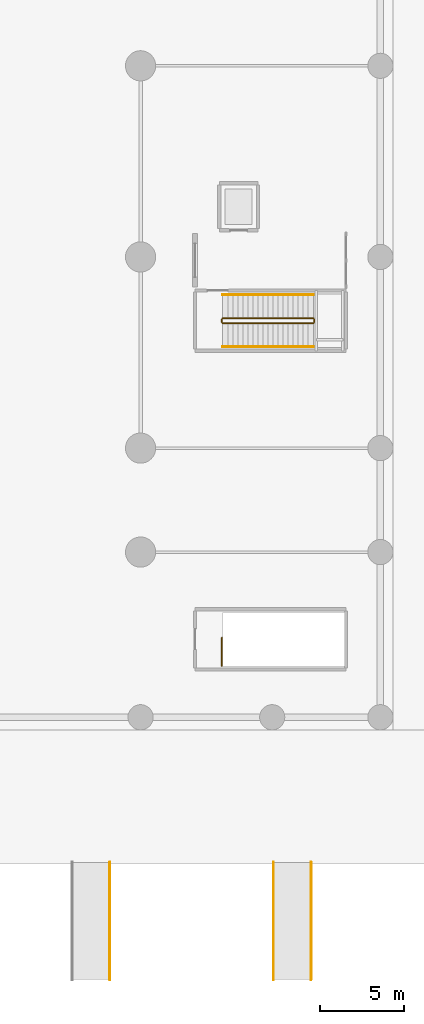
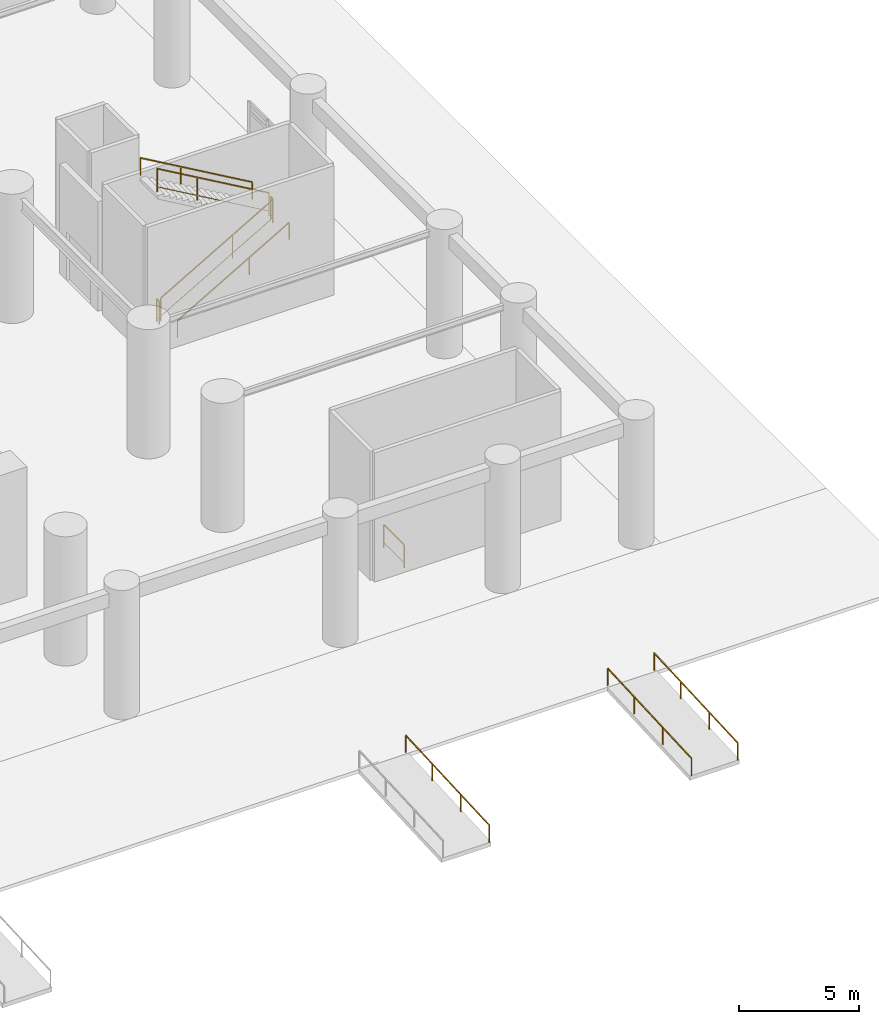
# One storey, part 15 of 16: 10 railings.
"""IFC4 building model written with IfcOpenShell, lengths in metres."""

from ifc_helpers import new_model, si_unit, direction, frame, origin, origin_2d, place, context, subcontext, project, spatial, rectangle, extrude, material, type_object, element, save


model = new_model("IFC4")

# Units and contexts
model_context = context("Model", 3, precision=1e-05, world=origin(), true_north=direction((0.0, 1.0)))
body_context = subcontext(model_context, "Body", "Model", "MODEL_VIEW")
ifc_project = project(units=[si_unit("LENGTHUNIT", "METRE"), si_unit("AREAUNIT", "SQUARE_METRE"), si_unit("VOLUMEUNIT", "CUBIC_METRE"), si_unit("PLANEANGLEUNIT", "RADIAN"), si_unit("MASSUNIT", "GRAM", prefix="KILO")], contexts=[model_context])

# Site, building, storey
site_placement = place(None, origin())
site = spatial("IfcSite", under=ifc_project, at=site_placement, CompositionType="ELEMENT")
building_placement = place(site_placement, origin())
building = spatial("IfcBuilding", under=site, at=building_placement, Name="Svetorya Sky Lyceum", CompositionType="ELEMENT")
storey_placement = place(building_placement, origin())
storey = spatial("IfcBuildingStorey", under=building, at=storey_placement, Name="L00", CompositionType="ELEMENT", Elevation=0.0)

# Railings
ifc_material_1 = material(Name="Brushed stainless AISI 304")
railing_type_1 = type_object("IfcRailingType", Name="RL-PED-900", PredefinedType="HANDRAIL", material=ifc_material_1)
for number, where, name in (
    (1, (61.52001953125, -14.89990234375, -0.35009765625), "Approach Ramp PR-4 Handrail E"),
    (2, (71.280029296875, -14.89990234375, -0.35009765625), "Approach Ramp PR-5 Handrail W"),
    (3, (73.52001953125, -14.89990234375, -0.35009765625), "Approach Ramp PR-5 Handrail E"),
):
    element("IfcRailing", number, at=place(storey_placement, frame(where)), inside=storey, type_object=railing_type_1, Name=name, PredefinedType="HANDRAIL", context=body_context, shape_type="SweptSolid", body=[
        extrude(rectangle(XDim=0.048095703125, YDim=0.048095703125, at=origin_2d()), frame((0.0, 0.0, 0.8759765625), z_axis=(0.0, 0.998751643845, 0.049951515669), x_axis=(-1.0, 0.0, 0.0)), (0.0, 0.0, 1.0), 7.0087890625),
        extrude(rectangle(XDim=0.0419921875, YDim=0.0419921875, at=origin_2d()), origin(), (0.0, 0.0, 1.0), 0.851806640625),
        extrude(rectangle(XDim=0.0419921875, YDim=0.0419921875, at=origin_2d()), frame((0.0, 2.39697265625, 0.119873046875)), (0.0, 0.0, 1.0), 0.851806640625),
        extrude(rectangle(XDim=0.0419921875, YDim=0.0419921875, at=origin_2d()), frame((0.0, 4.7939453125, 0.23974609375)), (0.0, 0.0, 1.0), 0.851806640625),
        extrude(rectangle(XDim=0.0419921875, YDim=0.0419921875, at=origin_2d()), frame((0.0, 7.0, 0.35009765625)), (0.0, 0.0, 1.0), 0.851806640625),
    ])
ifc_material_2 = material(Name="Painted galvanized stair well guard")
railing_type_2 = type_object("IfcRailingType", Name="RL-STR-GUARD-1200", PredefinedType="GUARDRAIL", material=ifc_material_2)
railing_1_placement = place(storey_placement, frame((68.25, 24.25, 0.173583984375)))
element("IfcRailing", 4, at=railing_1_placement, inside=storey, type_object=railing_type_2, Name="L00 ST-SCH-E stair guard 1", PredefinedType="GUARDRAIL", context=body_context, shape_type="SweptSolid", body=[
    extrude(rectangle(XDim=0.048095703125, YDim=0.048095703125, at=origin_2d()), frame((0.0, 0.0, 1.17578125), z_axis=(0.865411998075, 0.0, 0.501060947977), x_axis=(0.0, 1.0, 0.0)), (0.0, 0.0, 1.0), 6.23974609375),
    extrude(rectangle(XDim=0.02392578125, YDim=0.02392578125, at=origin_2d()), frame((0.0, 0.0, 0.25), z_axis=(0.865411998075, 0.0, 0.501060947977), x_axis=(0.0, 1.0, 0.0)), (0.0, 0.0, 1.0), 6.23974609375),
    extrude(rectangle(XDim=0.0419921875, YDim=0.0419921875, at=origin_2d()), origin(), (0.0, 0.0, 1.0), 1.15185546875),
    extrude(rectangle(XDim=0.0419921875, YDim=0.0419921875, at=origin_2d()), frame((3.461669921875, 0.0, 2.004150390625)), (0.0, 0.0, 1.0), 1.15185546875),
    extrude(rectangle(XDim=0.0419921875, YDim=0.0419921875, at=origin_2d()), frame((5.39990234375, 0.0, 3.12646484375)), (0.0, 0.0, 1.0), 1.15185546875),
])
railing_2_placement = place(storey_placement, frame((73.699951171875, 24.300048828125, 3.300048828125)))
element("IfcRailing", 5, at=railing_2_placement, inside=storey, type_object=railing_type_2, Name="L00 ST-SCH-E stair guard 2", PredefinedType="GUARDRAIL", context=body_context, shape_type="SweptSolid", body=[
    extrude(rectangle(XDim=0.048095703125, YDim=0.048095703125, at=origin_2d()), frame((0.0, 0.0, 1.17578125), z_axis=(0.0, 1.0, 0.0), x_axis=(-1.0, 0.0, 0.0)), (0.0, 0.0, 1.0), 0.199951171875),
    extrude(rectangle(XDim=0.02392578125, YDim=0.02392578125, at=origin_2d()), frame((0.0, 0.0, 0.25), z_axis=(0.0, 1.0, 0.0), x_axis=(-1.0, 0.0, 0.0)), (0.0, 0.0, 1.0), 0.199951171875),
    extrude(rectangle(XDim=0.0419921875, YDim=0.0419921875, at=origin_2d()), origin(), (0.0, 0.0, 1.0), 1.15185546875),
    extrude(rectangle(XDim=0.0419921875, YDim=0.0419921875, at=origin_2d()), frame((0.0, 0.199951171875, 0.0)), (0.0, 0.0, 1.0), 1.15185546875),
])
railing_3_placement = place(storey_placement, frame((73.64990234375, 24.550048828125, 3.4736328125)))
element("IfcRailing", 6, at=railing_3_placement, inside=storey, type_object=railing_type_2, Name="L00 ST-SCH-E stair guard 3", PredefinedType="GUARDRAIL", context=body_context, shape_type="SweptSolid", body=[
    extrude(rectangle(XDim=0.048095703125, YDim=0.048095703125, at=origin_2d()), frame((0.0, 0.0, 1.17578125), z_axis=(-0.865411998075, 0.0, 0.501060947977), x_axis=(0.0, -1.0, 0.0)), (0.0, 0.0, 1.0), 6.23974609375),
    extrude(rectangle(XDim=0.02392578125, YDim=0.02392578125, at=origin_2d()), frame((0.0, 0.0, 0.25), z_axis=(-0.865411998075, 0.0, 0.501060947977), x_axis=(0.0, -1.0, 0.0)), (0.0, 0.0, 1.0), 6.23974609375),
    extrude(rectangle(XDim=0.0419921875, YDim=0.0419921875, at=origin_2d()), origin(), (0.0, 0.0, 1.0), 1.15185546875),
    extrude(rectangle(XDim=0.0419921875, YDim=0.0419921875, at=origin_2d()), frame((-3.461669921875, 0.0, 2.004150390625)), (0.0, 0.0, 1.0), 1.15185546875),
    extrude(rectangle(XDim=0.0419921875, YDim=0.0419921875, at=origin_2d()), frame((-5.39990234375, 0.0, 3.12646484375)), (0.0, 0.0, 1.0), 1.15185546875),
])
railing_4_placement = place(storey_placement, frame((68.199951171875, 24.300048828125, 0.0)))
element("IfcRailing", 7, at=railing_4_placement, inside=storey, type_object=railing_type_2, Name="L00 ST-SCH-E stair guard 4", PredefinedType="GUARDRAIL", context=body_context, shape_type="SweptSolid", body=[
    extrude(rectangle(XDim=0.048095703125, YDim=0.048095703125, at=origin_2d()), frame((0.0, 0.0, 1.17578125), z_axis=(0.0, 1.0, 0.0), x_axis=(-1.0, 0.0, 0.0)), (0.0, 0.0, 1.0), 0.199951171875),
    extrude(rectangle(XDim=0.02392578125, YDim=0.02392578125, at=origin_2d()), frame((0.0, 0.0, 0.25), z_axis=(0.0, 1.0, 0.0), x_axis=(-1.0, 0.0, 0.0)), (0.0, 0.0, 1.0), 0.199951171875),
    extrude(rectangle(XDim=0.0419921875, YDim=0.0419921875, at=origin_2d()), origin(), (0.0, 0.0, 1.0), 1.15185546875),
    extrude(rectangle(XDim=0.0419921875, YDim=0.0419921875, at=origin_2d()), frame((0.0, 0.199951171875, 0.0)), (0.0, 0.0, 1.0), 1.15185546875),
])
railing_5_placement = place(storey_placement, frame((68.199951171875, 3.800048828125, 0.0)))
element("IfcRailing", 8, at=railing_5_placement, inside=storey, type_object=railing_type_2, Name="L00 ST-B2 top well guard 1", PredefinedType="GUARDRAIL", context=body_context, shape_type="SweptSolid", body=[
    extrude(rectangle(XDim=0.048095703125, YDim=0.048095703125, at=origin_2d()), frame((0.0, 0.0, 1.17578125), z_axis=(0.0, 1.0, 0.0), x_axis=(-1.0, 0.0, 0.0)), (0.0, 0.0, 1.0), 1.699951171875),
    extrude(rectangle(XDim=0.02392578125, YDim=0.02392578125, at=origin_2d()), frame((0.0, 0.0, 0.25), z_axis=(0.0, 1.0, 0.0), x_axis=(-1.0, 0.0, 0.0)), (0.0, 0.0, 1.0), 1.699951171875),
    extrude(rectangle(XDim=0.0419921875, YDim=0.0419921875, at=origin_2d()), origin(), (0.0, 0.0, 1.0), 1.15185546875),
    extrude(rectangle(XDim=0.0419921875, YDim=0.0419921875, at=origin_2d()), frame((0.0, 1.699951171875, 0.0)), (0.0, 0.0, 1.0), 1.15185546875),
])
ifc_material_3 = material(Name="Brushed stainless AISI 304 stair handrail")
railing_type_3 = type_object("IfcRailingType", Name="RL-STR-HAND-920", PredefinedType="HANDRAIL", material=ifc_material_3)
railing_6_placement = place(storey_placement, frame((68.25, 22.85009765625, 0.173583984375)))
element("IfcRailing", 9, at=railing_6_placement, inside=storey, type_object=railing_type_3, Name="L00 ST-SCH-E stair handrail 1", PredefinedType="HANDRAIL", context=body_context, shape_type="SweptSolid", body=[
    extrude(rectangle(XDim=0.048095703125, YDim=0.048095703125, at=origin_2d()), frame((0.0, 0.0, 0.8759765625), z_axis=(0.865411998075, 0.0, 0.501060947977), x_axis=(0.0, 1.0, 0.0)), (0.0, 0.0, 1.0), 6.23974609375),
    extrude(rectangle(XDim=0.0419921875, YDim=0.0419921875, at=origin_2d()), origin(), (0.0, 0.0, 1.0), 0.851806640625),
    extrude(rectangle(XDim=0.0419921875, YDim=0.0419921875, at=origin_2d()), frame((3.461669921875, 0.0, 2.004150390625)), (0.0, 0.0, 1.0), 0.851806640625),
    extrude(rectangle(XDim=0.0419921875, YDim=0.0419921875, at=origin_2d()), frame((5.39990234375, 0.0, 3.12646484375)), (0.0, 0.0, 1.0), 0.851806640625),
])
railing_7_placement = place(storey_placement, frame((73.64990234375, 25.949951171875, 3.4736328125)))
element("IfcRailing", 10, at=railing_7_placement, inside=storey, type_object=railing_type_3, Name="L00 ST-SCH-E stair handrail 2", PredefinedType="HANDRAIL", context=body_context, shape_type="SweptSolid", body=[
    extrude(rectangle(XDim=0.048095703125, YDim=0.048095703125, at=origin_2d()), frame((0.0, 0.0, 0.8759765625), z_axis=(-0.865411998075, 0.0, 0.501060947977), x_axis=(0.0, -1.0, 0.0)), (0.0, 0.0, 1.0), 6.23974609375),
    extrude(rectangle(XDim=0.0419921875, YDim=0.0419921875, at=origin_2d()), origin(), (0.0, 0.0, 1.0), 0.851806640625),
    extrude(rectangle(XDim=0.0419921875, YDim=0.0419921875, at=origin_2d()), frame((-3.461669921875, 0.0, 2.004150390625)), (0.0, 0.0, 1.0), 0.851806640625),
    extrude(rectangle(XDim=0.0419921875, YDim=0.0419921875, at=origin_2d()), frame((-5.39990234375, 0.0, 3.12646484375)), (0.0, 0.0, 1.0), 0.851806640625),
])

save(model, "model.ifc")
